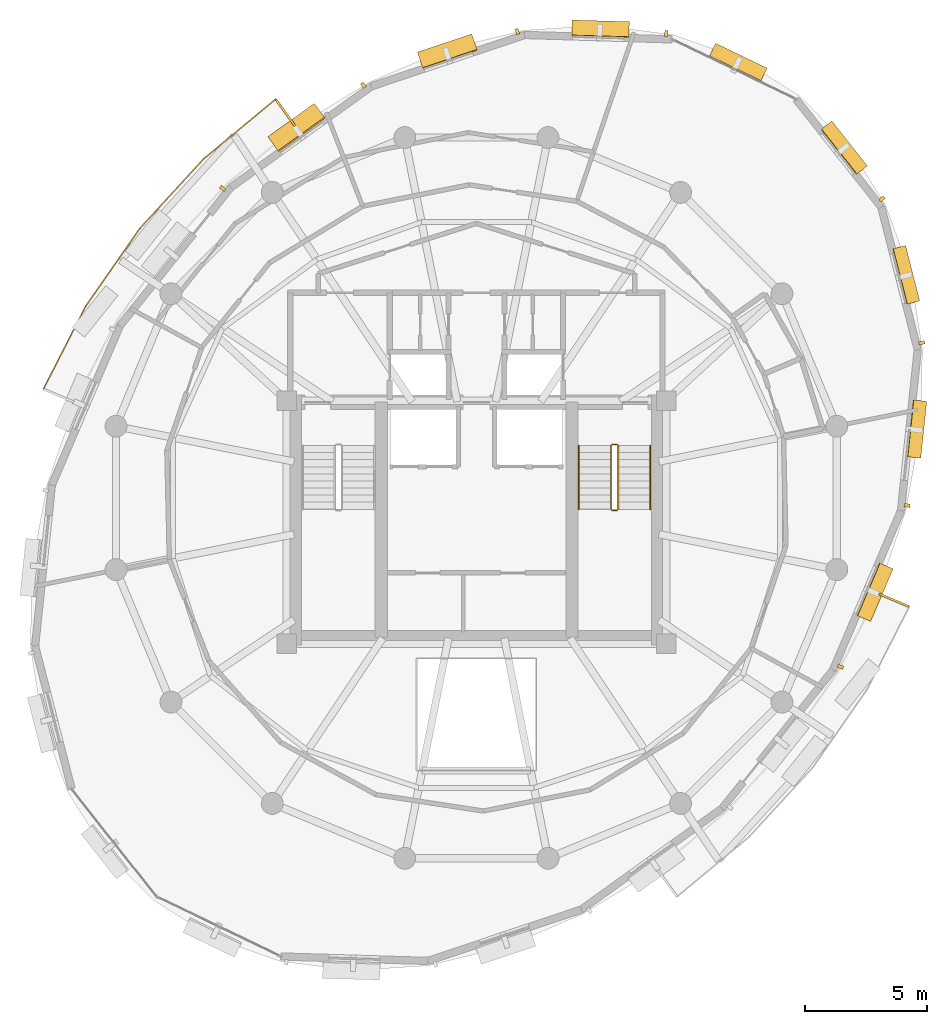
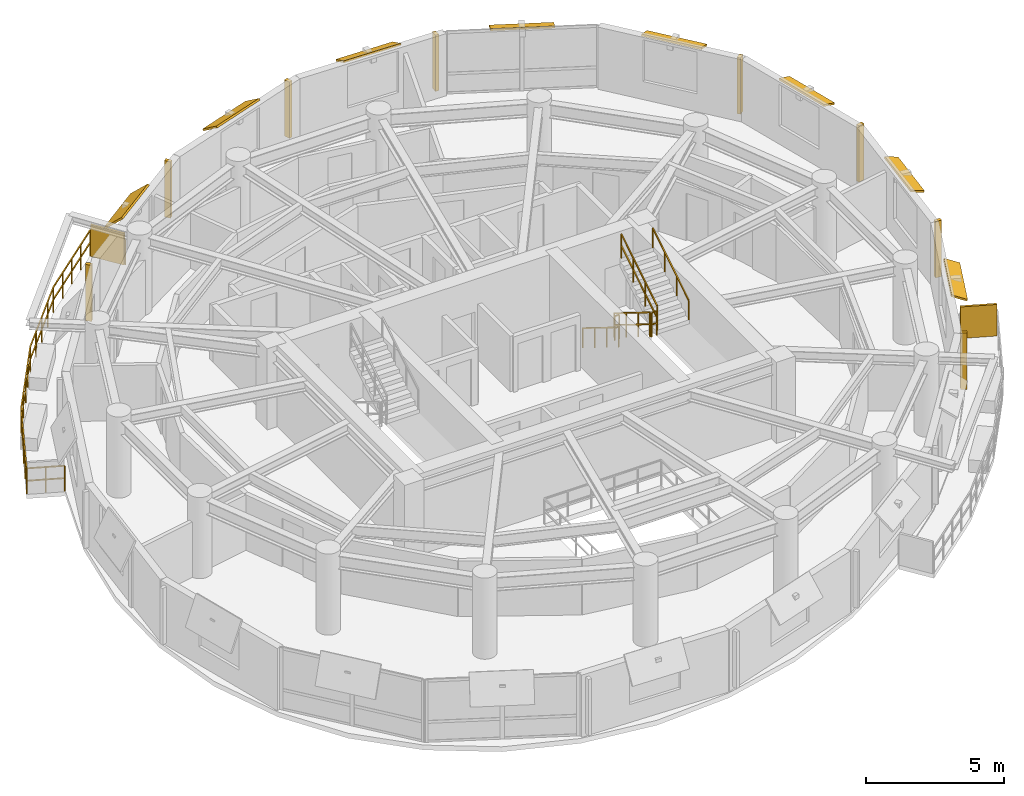
# One storey, part 11 of 11: 18 shading devices, 7 railings.
"""IFC4 building model written with IfcOpenShell, lengths in metres."""

from ifc_helpers import new_model, si_unit, direction, frame, origin, origin_2d, place, context, subcontext, project, spatial, rectangle, extrude, material, layer, layer_set, type_object, element, save


model = new_model("IFC4")

# Units and contexts
model_context = context("Model", 3, precision=1e-05, world=origin(), true_north=direction((0.0, 1.0)))
body_context = subcontext(model_context, "Body", "Model", "MODEL_VIEW")
ifc_project = project(units=[si_unit("LENGTHUNIT", "METRE"), si_unit("AREAUNIT", "SQUARE_METRE"), si_unit("VOLUMEUNIT", "CUBIC_METRE"), si_unit("PLANEANGLEUNIT", "RADIAN"), si_unit("MASSUNIT", "GRAM", prefix="KILO"), si_unit("THERMODYNAMICTEMPERATUREUNIT", "KELVIN"), si_unit("POWERUNIT", "WATT")], contexts=[model_context])

# Site, building, storey
site_placement = place(None, origin())
site = spatial("IfcSite", under=ifc_project, at=site_placement, CompositionType="ELEMENT")
building_placement = place(site_placement, origin())
building = spatial("IfcBuilding", under=site, at=building_placement, Name="Ocrelia Relay Tower", CompositionType="ELEMENT")
storey_placement = place(building_placement, frame((0.0, 0.0, 244.800048828125)))
storey = spatial("IfcBuildingStorey", under=building, at=storey_placement, Name="L60", CompositionType="ELEMENT", Elevation=244.800048828125)

# Railings
ifc_material_1 = material(Name="Steel S355 balustrade", Category="steel")
railing_type_1 = type_object("IfcRailingType", Name="RL-EXT-GUARD-1150", PredefinedType="GUARDRAIL", material=ifc_material_1)
railing_1_placement = place(storey_placement, frame((17.48486328125, 29.929931640625, 0.0)))
element("IfcRailing", 1, at=railing_1_placement, inside=storey, type_object=railing_type_1, Name="L60 Loggia Balcony Guard Rail B1", PredefinedType="GUARDRAIL", context=body_context, shape_type="SweptSolid", body=[
    extrude(rectangle(XDim=0.048095703125, YDim=0.048095703125, at=origin_2d()), frame((0.0, 0.0, 1.1259765625), z_axis=(-0.920427080377, 0.390914299699, 0.0), x_axis=(-0.390914299699, -0.920427080377, 0.0)), (0.0, 0.0, 1.0), 1.393310546875),
    extrude(rectangle(XDim=0.048095703125, YDim=0.048095703125, at=origin_2d()), frame((0.0, 0.0, 0.574951171875), z_axis=(-0.920427080377, 0.390914299699, 0.0), x_axis=(-0.390914299699, -0.920427080377, 0.0)), (0.0, 0.0, 1.0), 1.393310546875),
    extrude(rectangle(XDim=0.048095703125, YDim=0.048095703125, at=origin_2d()), frame((-1.282470703125, 0.544677734375, 1.1259765625), z_axis=(0.454873673203, 0.890555973214, 0.0), x_axis=(-0.890555973214, 0.454873673203, 0.0)), (0.0, 0.0, 1.0), 1.9208984375),
    extrude(rectangle(XDim=0.048095703125, YDim=0.048095703125, at=origin_2d()), frame((-1.282470703125, 0.544677734375, 0.574951171875), z_axis=(0.454873673203, 0.890555973214, 0.0), x_axis=(-0.890555973214, 0.454873673203, 0.0)), (0.0, 0.0, 1.0), 1.9208984375),
    extrude(rectangle(XDim=0.048095703125, YDim=0.048095703125, at=origin_2d()), frame((-0.40869140625, 2.25537109375, 1.1259765625), z_axis=(0.454925163319, 0.890529671476, 0.0), x_axis=(-0.890529671476, 0.454925163319, 0.0)), (0.0, 0.0, 1.0), 1.920654296875),
    extrude(rectangle(XDim=0.048095703125, YDim=0.048095703125, at=origin_2d()), frame((-0.40869140625, 2.25537109375, 0.574951171875), z_axis=(0.454925163319, 0.890529671476, 0.0), x_axis=(-0.890529671476, 0.454925163319, 0.0)), (0.0, 0.0, 1.0), 1.920654296875),
    extrude(rectangle(XDim=0.048095703125, YDim=0.048095703125, at=origin_2d()), frame((0.465087890625, 3.9658203125, 1.1259765625), z_axis=(0.571451400758, 0.820635909872, 0.0), x_axis=(-0.820635909872, 0.571451400758, 0.0)), (0.0, 0.0, 1.0), 3.8818359375),
    extrude(rectangle(XDim=0.048095703125, YDim=0.048095703125, at=origin_2d()), frame((0.465087890625, 3.9658203125, 0.574951171875), z_axis=(0.571451400758, 0.820635909872, 0.0), x_axis=(-0.820635909872, 0.571451400758, 0.0)), (0.0, 0.0, 1.0), 3.8818359375),
    extrude(rectangle(XDim=0.048095703125, YDim=0.048095703125, at=origin_2d()), frame((2.683349609375, 7.1513671875, 1.1259765625), z_axis=(0.676208628107, 0.736710181329, 0.0), x_axis=(-0.736710181329, 0.676208628107, 0.0)), (0.0, 0.0, 1.0), 3.8818359375),
    extrude(rectangle(XDim=0.048095703125, YDim=0.048095703125, at=origin_2d()), frame((2.683349609375, 7.1513671875, 0.574951171875), z_axis=(0.676208628107, 0.736710181329, 0.0), x_axis=(-0.736710181329, 0.676208628107, 0.0)), (0.0, 0.0, 1.0), 3.8818359375),
    extrude(rectangle(XDim=0.048095703125, YDim=0.048095703125, at=origin_2d()), frame((5.308349609375, 10.01123046875, 1.1259765625), z_axis=(0.769875240666, 0.638194416937, 0.0), x_axis=(-0.638194416937, 0.769875240666, 0.0)), (0.0, 0.0, 1.0), 1.9208984375),
    extrude(rectangle(XDim=0.048095703125, YDim=0.048095703125, at=origin_2d()), frame((5.308349609375, 10.01123046875, 0.574951171875), z_axis=(0.769875240666, 0.638194416937, 0.0), x_axis=(-0.638194416937, 0.769875240666, 0.0)), (0.0, 0.0, 1.0), 1.9208984375),
    extrude(rectangle(XDim=0.048095703125, YDim=0.048095703125, at=origin_2d()), frame((6.787109375, 11.237060546875, 1.1259765625), z_axis=(0.769875240666, 0.638194416937, 0.0), x_axis=(-0.638194416937, 0.769875240666, 0.0)), (0.0, 0.0, 1.0), 1.9208984375),
    extrude(rectangle(XDim=0.048095703125, YDim=0.048095703125, at=origin_2d()), frame((6.787109375, 11.237060546875, 0.574951171875), z_axis=(0.769875240666, 0.638194416937, 0.0), x_axis=(-0.638194416937, 0.769875240666, 0.0)), (0.0, 0.0, 1.0), 1.9208984375),
    extrude(rectangle(XDim=0.048095703125, YDim=0.048095703125, at=origin_2d()), frame((8.265869140625, 12.462890625, 1.1259765625), z_axis=(0.582364598076, -0.812927718132, 0.0), x_axis=(0.812927718132, 0.582364598076, 0.0)), (0.0, 0.0, 1.0), 1.3935546875),
    extrude(rectangle(XDim=0.048095703125, YDim=0.048095703125, at=origin_2d()), frame((8.265869140625, 12.462890625, 0.574951171875), z_axis=(0.582364598076, -0.812927718132, 0.0), x_axis=(0.812927718132, 0.582364598076, 0.0)), (0.0, 0.0, 1.0), 1.3935546875),
    extrude(rectangle(XDim=0.0419921875, YDim=0.0419921875, at=origin_2d()), origin(), (0.0, 0.0, 1.0), 1.101806640625),
    extrude(rectangle(XDim=0.0419921875, YDim=0.0419921875, at=origin_2d()), frame((-0.64111328125, 0.2724609375, 0.0)), (0.0, 0.0, 1.0), 1.101806640625),
    extrude(rectangle(XDim=0.0419921875, YDim=0.0419921875, at=origin_2d()), frame((-1.282470703125, 0.544677734375, 0.0)), (0.0, 0.0, 1.0), 1.101806640625),
    extrude(rectangle(XDim=0.0419921875, YDim=0.0419921875, at=origin_2d()), frame((-0.845703125, 1.39990234375, 0.0)), (0.0, 0.0, 1.0), 1.101806640625),
    extrude(rectangle(XDim=0.0419921875, YDim=0.0419921875, at=origin_2d()), frame((-0.40869140625, 2.25537109375, 0.0)), (0.0, 0.0, 1.0), 1.101806640625),
    extrude(rectangle(XDim=0.0419921875, YDim=0.0419921875, at=origin_2d()), frame((0.0283203125, 3.110595703125, 0.0)), (0.0, 0.0, 1.0), 1.101806640625),
    extrude(rectangle(XDim=0.0419921875, YDim=0.0419921875, at=origin_2d()), frame((0.465087890625, 3.9658203125, 0.0)), (0.0, 0.0, 1.0), 1.101806640625),
    extrude(rectangle(XDim=0.0419921875, YDim=0.0419921875, at=origin_2d()), frame((1.01953125, 4.76220703125, 0.0)), (0.0, 0.0, 1.0), 1.101806640625),
    extrude(rectangle(XDim=0.0419921875, YDim=0.0419921875, at=origin_2d()), frame((1.57421875, 5.55859375, 0.0)), (0.0, 0.0, 1.0), 1.101806640625),
    extrude(rectangle(XDim=0.0419921875, YDim=0.0419921875, at=origin_2d()), frame((2.12890625, 6.35498046875, 0.0)), (0.0, 0.0, 1.0), 1.101806640625),
    extrude(rectangle(XDim=0.0419921875, YDim=0.0419921875, at=origin_2d()), frame((2.683349609375, 7.1513671875, 0.0)), (0.0, 0.0, 1.0), 1.101806640625),
    extrude(rectangle(XDim=0.0419921875, YDim=0.0419921875, at=origin_2d()), frame((3.339599609375, 7.8662109375, 0.0)), (0.0, 0.0, 1.0), 1.101806640625),
    extrude(rectangle(XDim=0.0419921875, YDim=0.0419921875, at=origin_2d()), frame((3.995849609375, 8.581298828125, 0.0)), (0.0, 0.0, 1.0), 1.101806640625),
    extrude(rectangle(XDim=0.0419921875, YDim=0.0419921875, at=origin_2d()), frame((4.652099609375, 9.29638671875, 0.0)), (0.0, 0.0, 1.0), 1.101806640625),
    extrude(rectangle(XDim=0.0419921875, YDim=0.0419921875, at=origin_2d()), frame((5.308349609375, 10.01123046875, 0.0)), (0.0, 0.0, 1.0), 1.101806640625),
    extrude(rectangle(XDim=0.0419921875, YDim=0.0419921875, at=origin_2d()), frame((6.0478515625, 10.6240234375, 0.0)), (0.0, 0.0, 1.0), 1.101806640625),
    extrude(rectangle(XDim=0.0419921875, YDim=0.0419921875, at=origin_2d()), frame((6.787109375, 11.237060546875, 0.0)), (0.0, 0.0, 1.0), 1.101806640625),
    extrude(rectangle(XDim=0.0419921875, YDim=0.0419921875, at=origin_2d()), frame((7.5263671875, 11.85009765625, 0.0)), (0.0, 0.0, 1.0), 1.101806640625),
    extrude(rectangle(XDim=0.0419921875, YDim=0.0419921875, at=origin_2d()), frame((8.265869140625, 12.462890625, 0.0)), (0.0, 0.0, 1.0), 1.101806640625),
    extrude(rectangle(XDim=0.0419921875, YDim=0.0419921875, at=origin_2d()), frame((8.671630859375, 11.896484375, 0.0)), (0.0, 0.0, 1.0), 1.101806640625),
    extrude(rectangle(XDim=0.0419921875, YDim=0.0419921875, at=origin_2d()), frame((9.077392578125, 11.330078125, 0.0)), (0.0, 0.0, 1.0), 1.101806640625),
])
railing_type_2 = type_object("IfcRailingType", Name="RL-STAIR-GUARD", PredefinedType="GUARDRAIL", material=ifc_material_1)
railing_2_placement = place(storey_placement, frame((39.530029296875, 28.14990234375, 0.179931640625)))
element("IfcRailing", 2, at=railing_2_placement, inside=storey, type_object=railing_type_2, Name="L60 ST2 stair guard 1", PredefinedType="GUARDRAIL", context=body_context, shape_type="SweptSolid", body=[
    extrude(rectangle(XDim=0.048095703125, YDim=0.048095703125, at=origin_2d()), frame((0.0, 0.0, 1.076171875), z_axis=(0.0, -0.849610693518, 0.52741034258), x_axis=(1.0, 0.0, 0.0)), (0.0, 0.0, 1.0), 3.07177734375),
    extrude(rectangle(XDim=0.048095703125, YDim=0.048095703125, at=origin_2d()), frame((0.0, 0.0, 0.550048828125), z_axis=(0.0, -0.849610693518, 0.52741034258), x_axis=(1.0, 0.0, 0.0)), (0.0, 0.0, 1.0), 3.07177734375),
    extrude(rectangle(XDim=0.0419921875, YDim=0.0419921875, at=origin_2d()), origin(), (0.0, 0.0, 1.0), 1.052001953125),
    extrude(rectangle(XDim=0.0419921875, YDim=0.0419921875, at=origin_2d()), frame((0.0, -0.869873046875, 0.5400390625)), (0.0, 0.0, 1.0), 1.052001953125),
    extrude(rectangle(XDim=0.0419921875, YDim=0.0419921875, at=origin_2d()), frame((0.0, -1.739990234375, 1.080078125)), (0.0, 0.0, 1.0), 1.052001953125),
    extrude(rectangle(XDim=0.0419921875, YDim=0.0419921875, at=origin_2d()), frame((0.0, -2.60986328125, 1.6201171875)), (0.0, 0.0, 1.0), 1.052001953125),
])
railing_3_placement = place(storey_placement, frame((39.580078125, 25.489990234375, 1.800048828125)))
element("IfcRailing", 3, at=railing_3_placement, inside=storey, type_object=railing_type_2, Name="L60 ST2 stair guard 2", PredefinedType="GUARDRAIL", context=body_context, shape_type="SweptSolid", body=[
    extrude(rectangle(XDim=0.048095703125, YDim=0.048095703125, at=origin_2d()), frame((0.0, 0.0, 1.076171875), z_axis=(1.0, 0.0, 0.0), x_axis=(0.0, 1.0, 0.0)), (0.0, 0.0, 1.0), 0.199951171875),
    extrude(rectangle(XDim=0.048095703125, YDim=0.048095703125, at=origin_2d()), frame((0.0, 0.0, 0.550048828125), z_axis=(1.0, 0.0, 0.0), x_axis=(0.0, 1.0, 0.0)), (0.0, 0.0, 1.0), 0.199951171875),
    extrude(rectangle(XDim=0.0419921875, YDim=0.0419921875, at=origin_2d()), origin(), (0.0, 0.0, 1.0), 1.052001953125),
    extrude(rectangle(XDim=0.0419921875, YDim=0.0419921875, at=origin_2d()), frame((0.199951171875, 0.0, 0.0)), (0.0, 0.0, 1.0), 1.052001953125),
])
railing_4_placement = place(storey_placement, frame((39.830078125, 25.5400390625, 1.97998046875)))
element("IfcRailing", 4, at=railing_4_placement, inside=storey, type_object=railing_type_2, Name="L60 ST2 stair guard 3", PredefinedType="GUARDRAIL", context=body_context, shape_type="SweptSolid", body=[
    extrude(rectangle(XDim=0.048095703125, YDim=0.048095703125, at=origin_2d()), frame((0.0, 0.0, 1.076171875), z_axis=(0.0, 0.849646306263, 0.527352969322), x_axis=(-1.0, 0.0, 0.0)), (0.0, 0.0, 1.0), 3.07177734375),
    extrude(rectangle(XDim=0.048095703125, YDim=0.048095703125, at=origin_2d()), frame((0.0, 0.0, 0.550048828125), z_axis=(0.0, 0.849646306263, 0.527352969322), x_axis=(-1.0, 0.0, 0.0)), (0.0, 0.0, 1.0), 3.07177734375),
    extrude(rectangle(XDim=0.0419921875, YDim=0.0419921875, at=origin_2d()), origin(), (0.0, 0.0, 1.0), 1.052001953125),
    extrude(rectangle(XDim=0.0419921875, YDim=0.0419921875, at=origin_2d()), frame((0.0, 0.869873046875, 0.5400390625)), (0.0, 0.0, 1.0), 1.052001953125),
    extrude(rectangle(XDim=0.0419921875, YDim=0.0419921875, at=origin_2d()), frame((0.0, 1.739990234375, 1.079833984375)), (0.0, 0.0, 1.0), 1.052001953125),
    extrude(rectangle(XDim=0.0419921875, YDim=0.0419921875, at=origin_2d()), frame((0.0, 2.60986328125, 1.619873046875)), (0.0, 0.0, 1.0), 1.052001953125),
])
railing_5_placement = place(storey_placement, frame((39.580078125, 28.199951171875, 0.0)))
element("IfcRailing", 5, at=railing_5_placement, inside=storey, type_object=railing_type_2, Name="L60 ST2 stair guard 4", PredefinedType="GUARDRAIL", context=body_context, shape_type="SweptSolid", body=[
    extrude(rectangle(XDim=0.048095703125, YDim=0.048095703125, at=origin_2d()), frame((0.0, 0.0, 1.076171875), z_axis=(1.0, 0.0, 0.0), x_axis=(0.0, 1.0, 0.0)), (0.0, 0.0, 1.0), 0.199951171875),
    extrude(rectangle(XDim=0.048095703125, YDim=0.048095703125, at=origin_2d()), frame((0.0, 0.0, 0.550048828125), z_axis=(1.0, 0.0, 0.0), x_axis=(0.0, 1.0, 0.0)), (0.0, 0.0, 1.0), 0.199951171875),
    extrude(rectangle(XDim=0.0419921875, YDim=0.0419921875, at=origin_2d()), origin(), (0.0, 0.0, 1.0), 1.052001953125),
    extrude(rectangle(XDim=0.0419921875, YDim=0.0419921875, at=origin_2d()), frame((0.199951171875, 0.0, 0.0)), (0.0, 0.0, 1.0), 1.052001953125),
])
ifc_material_2 = material(Name="Steel S355 tubular handrail", Category="steel")
railing_type_3 = type_object("IfcRailingType", Name="RL-STAIR-HAND", PredefinedType="HANDRAIL", material=ifc_material_2)
railing_6_placement = place(storey_placement, frame((38.2099609375, 28.14990234375, 0.179931640625)))
element("IfcRailing", 6, at=railing_6_placement, inside=storey, type_object=railing_type_3, Name="L60 ST2 stair handrail 1", PredefinedType="HANDRAIL", context=body_context, shape_type="SweptSolid", body=[
    extrude(rectangle(XDim=0.048095703125, YDim=0.048095703125, at=origin_2d()), frame((0.0, 0.0, 0.8759765625), z_axis=(0.0, -0.849610693518, 0.52741034258), x_axis=(1.0, 0.0, 0.0)), (0.0, 0.0, 1.0), 3.07177734375),
    extrude(rectangle(XDim=0.0419921875, YDim=0.0419921875, at=origin_2d()), origin(), (0.0, 0.0, 1.0), 0.851806640625),
    extrude(rectangle(XDim=0.0419921875, YDim=0.0419921875, at=origin_2d()), frame((0.0, -0.869873046875, 0.5400390625)), (0.0, 0.0, 1.0), 0.851806640625),
    extrude(rectangle(XDim=0.0419921875, YDim=0.0419921875, at=origin_2d()), frame((0.0, -1.739990234375, 1.080078125)), (0.0, 0.0, 1.0), 0.851806640625),
    extrude(rectangle(XDim=0.0419921875, YDim=0.0419921875, at=origin_2d()), frame((0.0, -2.60986328125, 1.6201171875)), (0.0, 0.0, 1.0), 0.851806640625),
])
railing_7_placement = place(storey_placement, frame((41.14990234375, 25.5400390625, 1.97998046875)))
element("IfcRailing", 7, at=railing_7_placement, inside=storey, type_object=railing_type_3, Name="L60 ST2 stair handrail 2", PredefinedType="HANDRAIL", context=body_context, shape_type="SweptSolid", body=[
    extrude(rectangle(XDim=0.048095703125, YDim=0.048095703125, at=origin_2d()), frame((0.0, 0.0, 0.8759765625), z_axis=(0.0, 0.849646306263, 0.527352969322), x_axis=(-1.0, 0.0, 0.0)), (0.0, 0.0, 1.0), 3.07177734375),
    extrude(rectangle(XDim=0.0419921875, YDim=0.0419921875, at=origin_2d()), origin(), (0.0, 0.0, 1.0), 0.851806640625),
    extrude(rectangle(XDim=0.0419921875, YDim=0.0419921875, at=origin_2d()), frame((0.0, 0.869873046875, 0.5400390625)), (0.0, 0.0, 1.0), 0.851806640625),
    extrude(rectangle(XDim=0.0419921875, YDim=0.0419921875, at=origin_2d()), frame((0.0, 1.739990234375, 1.079833984375)), (0.0, 0.0, 1.0), 0.851806640625),
    extrude(rectangle(XDim=0.0419921875, YDim=0.0419921875, at=origin_2d()), frame((0.0, 2.60986328125, 1.619873046875)), (0.0, 0.0, 1.0), 0.851806640625),
])

# Shading devices
ifc_material_3 = material(Name="Perforated oxide terracotta solar screen", Category="masonry")
ifc_layer_1 = layer(ifc_material_3, 0.090087890625, Name="Perforated oxide terracotta solar screen")
ifc_layer_set_1 = layer_set([ifc_layer_1], Name="Perforated oxide terracotta solar screen")
shading_device_type_1 = type_object("IfcShadingDeviceType", Name="SH-BALC-SCREEN", PredefinedType="USERDEFINED", material=ifc_layer_set_1)
for number, where, z_axis, x_axis, name in (
    (8, (26.156494140625, 41.826416015625, 0.0), (0.0, 0.0, 1.0), (-0.582357729634, 0.812932638498, 0.0), "L60 Balcony Perforated Terracotta Screen B1-1"),
    (9, (51.156494140625, 21.797607421875, 0.0), (0.0, 0.0, 1.0), (0.920398719493, -0.390981070074, 0.0), "L60 Balcony Perforated Terracotta Screen B2-2"),
):
    element("IfcShadingDevice", number, at=place(storey_placement, frame(where, z_axis=z_axis, x_axis=x_axis)), inside=storey, type_object=shading_device_type_1, Name=name, ObjectType="SCREEN", PredefinedType="USERDEFINED", context=body_context, shape_type="SweptSolid", body=[
        extrude(rectangle(XDim=1.340087890625, YDim=0.090087890625, at=origin_2d()), origin(), (0.0, 0.0, 1.0), 1.39990234375),
    ])
ifc_material_4 = material(Name="Extruded oxide terracotta vertical baguette", Category="masonry")
shading_device_type_2 = type_object("IfcShadingDeviceType", Name="SH-TERR-BAGUETTE", PredefinedType="USERDEFINED", material=ifc_material_4)
for number, where, z_axis, x_axis, name in (
    (10, (41.807861328125, 45.080810546875, 0.1298828125), (0.0, 0.0, 1.0), (-0.999550664402, 0.029974477353, 0.0), "L60 Oxide Terracotta Vertical Baguette 02"),
    (11, (35.680908203125, 45.1669921875, 0.1298828125), (0.0, 0.0, 1.0), (-0.948067346908, -0.318069655465, 0.0), "L60 Oxide Terracotta Vertical Baguette 03"),
    (12, (29.3544921875, 42.958984375, 0.1298828125), (0.0, 0.0, 1.0), (-0.811993931699, -0.583665876065, 0.0), "L60 Oxide Terracotta Vertical Baguette 04"),
    (13, (23.576416015625, 38.7158203125, 0.1298828125), (0.0, 0.0, 1.0), (-0.625245013134, -0.780428519181, 0.0), "L60 Oxide Terracotta Vertical Baguette 05"),
    (14, (48.959716796875, 19.06298828125, 0.1298828125), (0.0, 0.0, 1.0), (0.392470232799, 0.919764707068, 0.0), "L60 Oxide Terracotta Vertical Baguette 15"),
    (15, (51.7001953125, 25.691650390625, 0.1298828125), (0.0, 0.0, 1.0), (0.103595536078, 0.994619507603, 0.0), "L60 Oxide Terracotta Vertical Baguette 16"),
    (16, (52.29833984375, 32.37353515625, 0.1298828125), (0.0, 0.0, 1.0), (-0.247303172301, 0.968938151261, 0.0), "L60 Oxide Terracotta Vertical Baguette 17"),
    (17, (50.667236328125, 38.28857421875, 0.1298828125), (0.0, 0.0, 1.0), (-0.620429556634, 0.784262178901, 0.0), "L60 Oxide Terracotta Vertical Baguette 18"),
):
    element("IfcShadingDevice", number, at=place(storey_placement, frame(where, z_axis=z_axis, x_axis=x_axis)), inside=storey, type_object=shading_device_type_2, Name=name, ObjectType="BAGUETTE", PredefinedType="USERDEFINED", context=body_context, shape_type="SweptSolid", body=[
        extrude(rectangle(XDim=0.139892578125, YDim=0.239990234375, at=origin_2d()), origin(), (0.0, 0.0, 1.0), 2.5),
    ])
ifc_material_5 = material(Name="Extruded oxide terracotta fin", Category="masonry")
ifc_layer_2 = layer(ifc_material_5, 0.080078125, Name="Extruded oxide terracotta fin")
ifc_layer_set_2 = layer_set([ifc_layer_2], Name="Extruded oxide terracotta fin")
shading_device_type_3 = type_object("IfcShadingDeviceType", Name="SH-VISOR-FIN-MED", PredefinedType="USERDEFINED", material=ifc_layer_set_2)
shading_device_1_placement = place(storey_placement, frame((32.814697265625, 44.332763671875, 2.56640625), z_axis=(-0.174581097205, 0.520372298343, 0.835903171196), x_axis=(-0.948067346908, -0.318069655465, 0.0)))
element("IfcShadingDevice", 18, at=shading_device_1_placement, inside=storey, type_object=shading_device_type_3, Name="L60 Canted Terracotta Sun-Visor Fin 03", ObjectType="FIN", PredefinedType="USERDEFINED", context=body_context, shape_type="SweptSolid", body=[
    extrude(rectangle(XDim=2.35009765625, YDim=0.804931640625, at=origin_2d()), origin(), (0.0, 0.0, 1.0), 0.080078125),
])
shading_device_2_placement = place(storey_placement, frame((26.623779296875, 41.19873046875, 2.5703125), z_axis=(-0.393416818522, 0.547320106192, 0.738690671568), x_axis=(-0.811993931699, -0.583665876065, 0.0)))
element("IfcShadingDevice", 19, at=shading_device_2_placement, inside=storey, type_object=shading_device_type_3, Name="L60 Canted Terracotta Sun-Visor Fin 04", ObjectType="FIN", PredefinedType="USERDEFINED", context=body_context, shape_type="SweptSolid", body=[
    extrude(rectangle(XDim=2.35009765625, YDim=0.9560546875, at=origin_2d()), origin(), (0.0, 0.0, 1.0), 0.080078125),
])
ifc_layer_3 = layer(ifc_material_5, 0.080078125, Name="Extruded oxide terracotta fin")
ifc_layer_set_3 = layer_set([ifc_layer_3], Name="Extruded oxide terracotta fin")
shading_device_type_4 = type_object("IfcShadingDeviceType", Name="SH-VISOR-FIN-SHAL", PredefinedType="USERDEFINED", material=ifc_layer_set_3)
shading_device_3_placement = place(storey_placement, frame((44.75048828125, 43.88818359375, 2.562744140625), z_axis=(0.163438750346, 0.338869401186, 0.926528630872), x_axis=(-0.90071118316, 0.434418421029, 0.0)))
element("IfcShadingDevice", 20, at=shading_device_3_placement, inside=storey, type_object=shading_device_type_4, Name="L60 Canted Terracotta Sun-Visor Fin 01", ObjectType="FIN", PredefinedType="USERDEFINED", context=body_context, shape_type="SweptSolid", body=[
    extrude(rectangle(XDim=2.35009765625, YDim=0.617919921875, at=origin_2d()), origin(), (0.0, 0.0, 1.0), 0.080078125),
])
shading_device_4_placement = place(storey_placement, frame((39.101318359375, 45.25927734375, 2.56396484375), z_axis=(0.01343537619, 0.448025800064, 0.893919668171), x_axis=(-0.999550664402, 0.029974477353, 0.0)))
element("IfcShadingDevice", 21, at=shading_device_4_placement, inside=storey, type_object=shading_device_type_4, Name="L60 Canted Terracotta Sun-Visor Fin 02", ObjectType="FIN", PredefinedType="USERDEFINED", context=body_context, shape_type="SweptSolid", body=[
    extrude(rectangle(XDim=2.35009765625, YDim=0.694091796875, at=origin_2d()), origin(), (0.0, 0.0, 1.0), 0.080078125),
])
shading_device_5_placement = place(storey_placement, frame((50.364990234375, 22.133056640625, 2.56298828125), z_axis=(0.361891171178, -0.154421572288, 0.919341480754), x_axis=(0.392470232799, 0.919764707068, 0.0)))
element("IfcShadingDevice", 22, at=shading_device_5_placement, inside=storey, type_object=shading_device_type_4, Name="L60 Canted Terracotta Sun-Visor Fin 15", ObjectType="FIN", PredefinedType="USERDEFINED", context=body_context, shape_type="SweptSolid", body=[
    extrude(rectangle(XDim=2.35009765625, YDim=0.635986328125, at=origin_2d()), origin(), (0.0, 0.0, 1.0), 0.080078125),
])
shading_device_6_placement = place(storey_placement, frame((52.092529296875, 28.8310546875, 2.56201171875), z_axis=(0.322831442834, -0.033624814442, 0.945858991273), x_axis=(0.103595536078, 0.994619507603, 0.0)))
element("IfcShadingDevice", 23, at=shading_device_6_placement, inside=storey, type_object=shading_device_type_4, Name="L60 Canted Terracotta Sun-Visor Fin 16", ObjectType="FIN", PredefinedType="USERDEFINED", context=body_context, shape_type="SweptSolid", body=[
    extrude(rectangle(XDim=2.35009765625, YDim=0.56591796875, at=origin_2d()), origin(), (0.0, 0.0, 1.0), 0.080078125),
])
shading_device_7_placement = place(storey_placement, frame((51.652099609375, 35.162353515625, 2.561767578125), z_axis=(0.299740006387, 0.076502978388, 0.950948591076), x_axis=(-0.247303172301, 0.968938151261, 0.0)))
element("IfcShadingDevice", 24, at=shading_device_7_placement, inside=storey, type_object=shading_device_type_4, Name="L60 Canted Terracotta Sun-Visor Fin 17", ObjectType="FIN", PredefinedType="USERDEFINED", context=body_context, shape_type="SweptSolid", body=[
    extrude(rectangle(XDim=2.35009765625, YDim=0.550048828125, at=origin_2d()), origin(), (0.0, 0.0, 1.0), 0.080078125),
])
shading_device_8_placement = place(storey_placement, frame((49.104248046875, 40.3857421875, 2.56201171875), z_axis=(0.258563903817, 0.204549820867, 0.944089020393), x_axis=(-0.620429556634, 0.784262178901, 0.0)))
element("IfcShadingDevice", 25, at=shading_device_8_placement, inside=storey, type_object=shading_device_type_4, Name="L60 Canted Terracotta Sun-Visor Fin 18", ObjectType="FIN", PredefinedType="USERDEFINED", context=body_context, shape_type="SweptSolid", body=[
    extrude(rectangle(XDim=2.35009765625, YDim=0.571044921875, at=origin_2d()), origin(), (0.0, 0.0, 1.0), 0.080078125),
])

save(model, "model.ifc")
